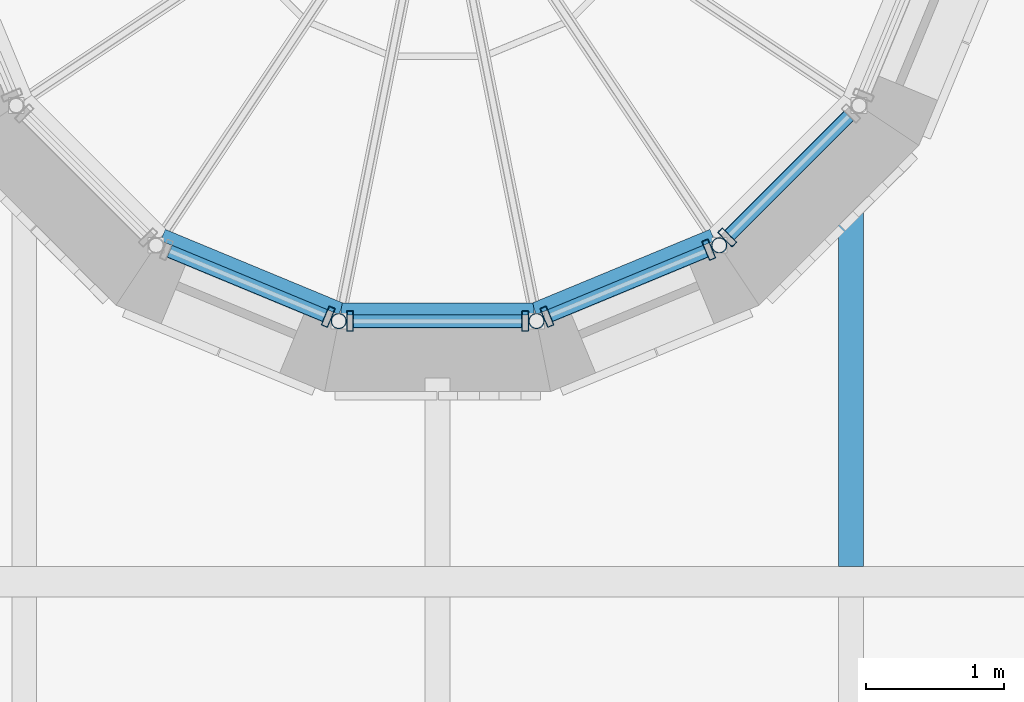
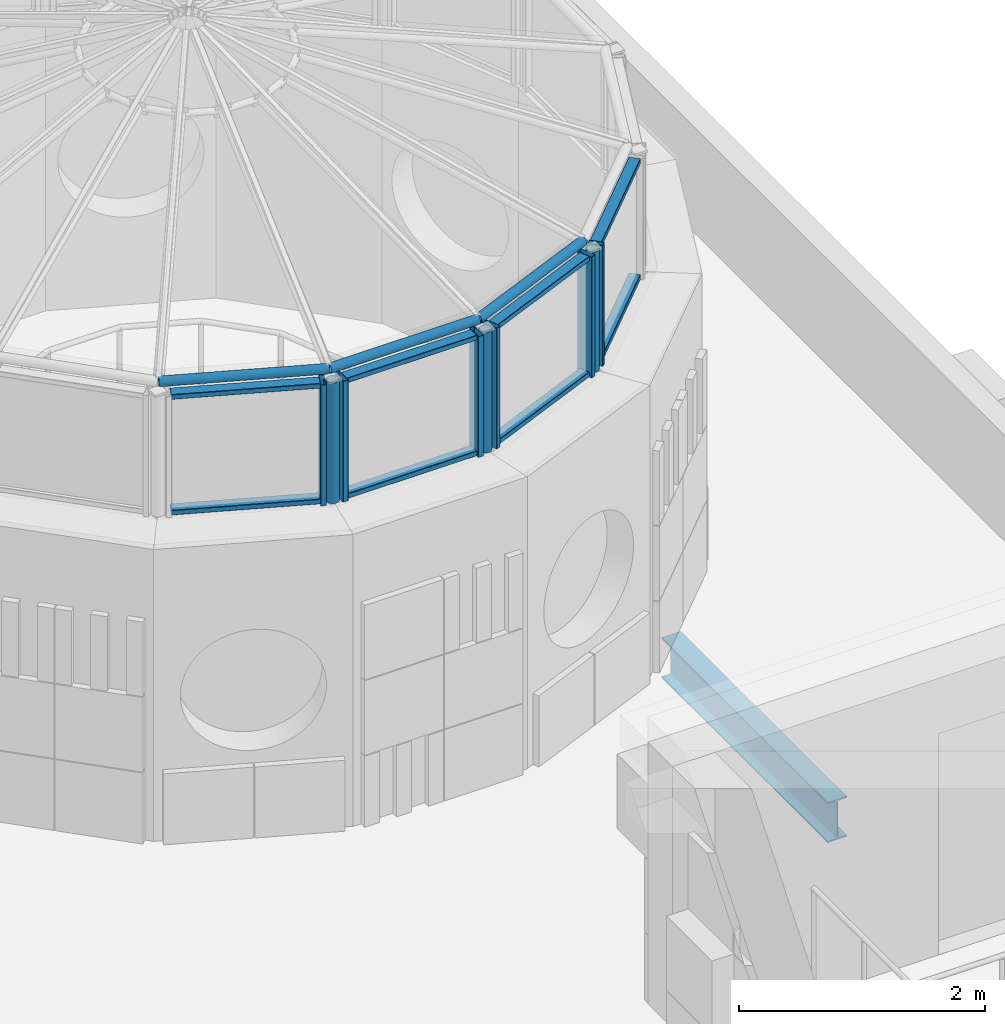
# One storey, part 14 of 98: 21 members, 4 elements without a shape of their own.
"""IFC4 building model written with IfcOpenShell, lengths in metres."""

from ifc_helpers import new_model, si_unit, direction, frame, origin, origin_2d, place, context, subcontext, project, spatial, hollow_rectangle, hollow_circle, i_section, extrude, material, material_profile, profile_set, type_object, element, aggregate, save


model = new_model("IFC4")

# Units and contexts
model_context = context("Model", 3, precision=1e-05, world=origin(), true_north=direction((0.0, 1.0)))
body_context = subcontext(model_context, "Body", "Model", "MODEL_VIEW")
ifc_project = project(units=[si_unit("LENGTHUNIT", "METRE"), si_unit("AREAUNIT", "SQUARE_METRE"), si_unit("VOLUMEUNIT", "CUBIC_METRE"), si_unit("PLANEANGLEUNIT", "RADIAN"), si_unit("MASSUNIT", "GRAM", prefix="KILO")], contexts=[model_context])

# Site, building, storey
site_placement = place(None, origin())
site = spatial("IfcSite", under=ifc_project, at=site_placement, CompositionType="ELEMENT")
building_placement = place(site_placement, origin())
building = spatial("IfcBuilding", under=site, at=building_placement, Name="Sun Court Science Centre", CompositionType="ELEMENT")
storey_placement = place(building_placement, frame((0.0, 0.0, 15.75)))
storey = spatial("IfcBuildingStorey", under=building, at=storey_placement, Name="L03", CompositionType="ELEMENT", Elevation=15.75)

# Curtain wall, member
ifc_material_1 = material(Name="Aluminium EN AW-6063 T6", Category="aluminium")
curtain_wall_type = type_object("IfcCurtainWallType", Name="Lantern clerestory curtain wall 1500", PredefinedType="NOTDEFINED", material=ifc_material_1)
curtain_wall_1_placement = place(storey_placement, origin())
curtain_wall_1 = element("IfcCurtainWall", 1, at=curtain_wall_1_placement, inside=storey, type_object=curtain_wall_type, Name="Curtain wall V2 C6 clerestory L03 11", PredefinedType="NOTDEFINED")
ifc_material_2 = material(Name="Aluminium EN AW-6063 T6", Category="aluminium")
ifc_material_profile_1 = material_profile(ifc_material_2, hollow_rectangle(XDim=0.050048828125, YDim=0.14990234375, WallThickness=0.00390625, InnerFilletRadius=0.00390625, OuterFilletRadius=0.006103515625, at=origin_2d()), Name="AL 50x150x4")
ifc_profile_set_1 = profile_set([ifc_material_profile_1], Name="Aluminium EN AW-6063 T6")
member_type_1 = type_object("IfcMemberType", Name="Curtain wall mullion AL 50x150", PredefinedType="MULLION", material=ifc_profile_set_1)
member_1_placement = place(storey_placement, frame((65.20654296875, 18.923828125, 3.050048828125), z_axis=(0.0, 0.0, 1.0), x_axis=(-0.923879532511, 0.382683432365, 0.0)))
member_1 = element("IfcMember", 2, at=member_1_placement, type_object=member_type_1, Name="CW4-91 mullion 1", PredefinedType="MULLION", context=body_context, shape_type="SweptSolid", body=[
    extrude(hollow_rectangle(XDim=0.050048828125, YDim=0.14990234375, WallThickness=0.00390625, InnerFilletRadius=0.00390625, OuterFilletRadius=0.006103515625, at=origin_2d()), origin(), (0.0, 0.0, 1.0), 1.199951171875),
])

# Curtain wall, members
curtain_wall_2_placement = place(storey_placement, origin())
curtain_wall_2 = element("IfcCurtainWall", 3, at=curtain_wall_2_placement, inside=storey, type_object=curtain_wall_type, Name="Curtain wall V2 C6 clerestory L03 12", PredefinedType="NOTDEFINED")
member_2_placement = place(storey_placement, frame((65.364501953125, 18.892333984375, 3.050048828125), z_axis=(0.0, 0.0, 1.0), x_axis=(-1.0, 0.0, 0.0)))
member_2 = element("IfcMember", 4, at=member_2_placement, type_object=member_type_1, Name="CW4-92 mullion 2", PredefinedType="MULLION", context=body_context, shape_type="SweptSolid", body=[
    extrude(hollow_rectangle(XDim=0.050048828125, YDim=0.14990234375, WallThickness=0.00390625, InnerFilletRadius=0.00390625, OuterFilletRadius=0.006103515625, at=origin_2d()), origin(), (0.0, 0.0, 1.0), 1.199951171875),
])
member_3_placement = place(storey_placement, frame((66.635498046875, 18.892333984375, 3.050048828125), z_axis=(0.0, 0.0, 1.0), x_axis=(-1.0, 0.0, 0.0)))
member_3 = element("IfcMember", 5, at=member_3_placement, type_object=member_type_1, Name="CW4-92 mullion 1", PredefinedType="MULLION", context=body_context, shape_type="SweptSolid", body=[
    extrude(hollow_rectangle(XDim=0.050048828125, YDim=0.14990234375, WallThickness=0.00390625, InnerFilletRadius=0.00390625, OuterFilletRadius=0.006103515625, at=origin_2d()), origin(), (0.0, 0.0, 1.0), 1.199951171875),
])

curtain_wall_3_placement = place(storey_placement, origin())
curtain_wall_3 = element("IfcCurtainWall", 6, at=curtain_wall_3_placement, inside=storey, type_object=curtain_wall_type, Name="Curtain wall V2 C6 clerestory L03 13", PredefinedType="NOTDEFINED")
member_4_placement = place(storey_placement, frame((66.79345703125, 18.923828125, 3.050048828125), z_axis=(0.0, 0.0, 1.0), x_axis=(-0.923879532511, -0.382683432365, 0.0)))
member_4 = element("IfcMember", 7, at=member_4_placement, type_object=member_type_1, Name="CW4-93 mullion 2", PredefinedType="MULLION", context=body_context, shape_type="SweptSolid", body=[
    extrude(hollow_rectangle(XDim=0.050048828125, YDim=0.14990234375, WallThickness=0.00390625, InnerFilletRadius=0.00390625, OuterFilletRadius=0.006103515625, at=origin_2d()), origin(), (0.0, 0.0, 1.0), 1.199951171875),
])
member_5_placement = place(storey_placement, frame((67.967529296875, 19.41015625, 3.050048828125), z_axis=(0.0, 0.0, 1.0), x_axis=(-0.923879532511, -0.382683432365, 0.0)))
member_5 = element("IfcMember", 8, at=member_5_placement, type_object=member_type_1, Name="CW4-93 mullion 1", PredefinedType="MULLION", context=body_context, shape_type="SweptSolid", body=[
    extrude(hollow_rectangle(XDim=0.050048828125, YDim=0.14990234375, WallThickness=0.00390625, InnerFilletRadius=0.00390625, OuterFilletRadius=0.006103515625, at=origin_2d()), origin(), (0.0, 0.0, 1.0), 1.199951171875),
])

# Curtain wall, member
curtain_wall_4_placement = place(storey_placement, origin())
curtain_wall_4 = element("IfcCurtainWall", 9, at=curtain_wall_4_placement, inside=storey, type_object=curtain_wall_type, Name="Curtain wall V2 C6 clerestory L03 14", PredefinedType="NOTDEFINED")
member_6_placement = place(storey_placement, frame((68.1015625, 19.499755859375, 3.050048828125), z_axis=(0.0, 0.0, 1.0), x_axis=(-0.707106781187, -0.707106781187, 0.0)))
member_6 = element("IfcMember", 10, at=member_6_placement, type_object=member_type_1, Name="CW4-94 mullion 2", PredefinedType="MULLION", context=body_context, shape_type="SweptSolid", body=[
    extrude(hollow_rectangle(XDim=0.050048828125, YDim=0.14990234375, WallThickness=0.00390625, InnerFilletRadius=0.00390625, OuterFilletRadius=0.006103515625, at=origin_2d()), origin(), (0.0, 0.0, 1.0), 1.199951171875),
])

# Member
ifc_material_3 = material(Name="Aluminium EN AW-6063 T6", Category="aluminium")
ifc_material_profile_2 = material_profile(ifc_material_3, hollow_rectangle(XDim=0.050048828125, YDim=0.10009765625, WallThickness=0.00390625, InnerFilletRadius=0.00390625, OuterFilletRadius=0.006103515625, at=origin_2d()), Name="AL 50x100x4")
ifc_profile_set_2 = profile_set([ifc_material_profile_2], Name="Aluminium EN AW-6063 T6")
member_type_2 = type_object("IfcMemberType", Name="Curtain wall transom AL 50x100", PredefinedType="USERDEFINED", material=ifc_profile_set_2)
member_7_placement = place(storey_placement, frame((65.183349609375, 18.933349609375, 3.074951171875), z_axis=(-0.923855963606, 0.38274032778, 0.0), x_axis=(0.0, 0.0, 1.0)))
member_7 = element("IfcMember", 11, at=member_7_placement, type_object=member_type_2, Name="CW4-91 transom 1.1", ObjectType="TRANSOM", PredefinedType="USERDEFINED", context=body_context, shape_type="SweptSolid", body=[
    extrude(hollow_rectangle(XDim=0.050048828125, YDim=0.10009765625, WallThickness=0.00390625, InnerFilletRadius=0.00390625, OuterFilletRadius=0.006103515625, at=origin_2d()), origin(), (0.0, 0.0, 1.0), 1.220947265625),
])

member_8_placement = place(storey_placement, frame((65.183349609375, 18.933349609375, 4.22509765625), z_axis=(-0.923855963606, 0.38274032778, 0.0), x_axis=(0.0, 0.0, 1.0)))
member_8 = element("IfcMember", 12, at=member_8_placement, type_object=member_type_2, Name="CW4-91 transom 1.2", ObjectType="TRANSOM", PredefinedType="USERDEFINED", context=body_context, shape_type="SweptSolid", body=[
    extrude(hollow_rectangle(XDim=0.050048828125, YDim=0.10009765625, WallThickness=0.00390625, InnerFilletRadius=0.00390625, OuterFilletRadius=0.006103515625, at=origin_2d()), origin(), (0.0, 0.0, 1.0), 1.220947265625),
])

aggregate(curtain_wall_1, [member_1, member_7, member_8])

member_9_placement = place(storey_placement, frame((66.6103515625, 18.892333984375, 3.074951171875), z_axis=(-1.0, 0.0, 0.0), x_axis=(0.0, 0.0, 1.0)))
member_9 = element("IfcMember", 13, at=member_9_placement, type_object=member_type_2, Name="CW4-92 transom 1.1", ObjectType="TRANSOM", PredefinedType="USERDEFINED", context=body_context, shape_type="SweptSolid", body=[
    extrude(hollow_rectangle(XDim=0.050048828125, YDim=0.10009765625, WallThickness=0.00390625, InnerFilletRadius=0.00390625, OuterFilletRadius=0.006103515625, at=origin_2d()), origin(), (0.0, 0.0, 1.0), 1.220703125),
])

member_10_placement = place(storey_placement, frame((66.6103515625, 18.892333984375, 4.22509765625), z_axis=(-1.0, 0.0, 0.0), x_axis=(0.0, 0.0, 1.0)))
member_10 = element("IfcMember", 14, at=member_10_placement, type_object=member_type_2, Name="CW4-92 transom 1.2", ObjectType="TRANSOM", PredefinedType="USERDEFINED", context=body_context, shape_type="SweptSolid", body=[
    extrude(hollow_rectangle(XDim=0.050048828125, YDim=0.10009765625, WallThickness=0.00390625, InnerFilletRadius=0.00390625, OuterFilletRadius=0.006103515625, at=origin_2d()), origin(), (0.0, 0.0, 1.0), 1.220703125),
])

aggregate(curtain_wall_2, [member_2, member_3, member_9, member_10])

member_11_placement = place(storey_placement, frame((67.944580078125, 19.400634765625, 3.074951171875), z_axis=(-0.923855963606, -0.38274032778, 0.0), x_axis=(0.0, 0.0, 1.0)))
member_11 = element("IfcMember", 15, at=member_11_placement, type_object=member_type_2, Name="CW4-93 transom 1.1", ObjectType="TRANSOM", PredefinedType="USERDEFINED", context=body_context, shape_type="SweptSolid", body=[
    extrude(hollow_rectangle(XDim=0.050048828125, YDim=0.10009765625, WallThickness=0.00390625, InnerFilletRadius=0.00390625, OuterFilletRadius=0.006103515625, at=origin_2d()), origin(), (0.0, 0.0, 1.0), 1.220947265625),
])

member_12_placement = place(storey_placement, frame((67.944580078125, 19.400634765625, 4.22509765625), z_axis=(-0.923855963606, -0.38274032778, 0.0), x_axis=(0.0, 0.0, 1.0)))
member_12 = element("IfcMember", 16, at=member_12_placement, type_object=member_type_2, Name="CW4-93 transom 1.2", ObjectType="TRANSOM", PredefinedType="USERDEFINED", context=body_context, shape_type="SweptSolid", body=[
    extrude(hollow_rectangle(XDim=0.050048828125, YDim=0.10009765625, WallThickness=0.00390625, InnerFilletRadius=0.00390625, OuterFilletRadius=0.006103515625, at=origin_2d()), origin(), (0.0, 0.0, 1.0), 1.220947265625),
])

aggregate(curtain_wall_3, [member_4, member_5, member_11, member_12])

member_13_placement = place(storey_placement, frame((68.982666015625, 20.380615234375, 3.074951171875), z_axis=(-0.707106781187, -0.707106781187, 0.0), x_axis=(0.0, 0.0, 1.0)))
member_13 = element("IfcMember", 17, at=member_13_placement, type_object=member_type_2, Name="CW4-94 transom 1.1", ObjectType="TRANSOM", PredefinedType="USERDEFINED", context=body_context, shape_type="SweptSolid", body=[
    extrude(hollow_rectangle(XDim=0.050048828125, YDim=0.10009765625, WallThickness=0.00390625, InnerFilletRadius=0.00390625, OuterFilletRadius=0.006103515625, at=origin_2d()), origin(), (0.0, 0.0, 1.0), 1.220947265625),
])

member_14_placement = place(storey_placement, frame((68.982666015625, 20.380615234375, 4.22509765625), z_axis=(-0.707106781187, -0.707106781187, 0.0), x_axis=(0.0, 0.0, 1.0)))
member_14 = element("IfcMember", 18, at=member_14_placement, type_object=member_type_2, Name="CW4-94 transom 1.2", ObjectType="TRANSOM", PredefinedType="USERDEFINED", context=body_context, shape_type="SweptSolid", body=[
    extrude(hollow_rectangle(XDim=0.050048828125, YDim=0.10009765625, WallThickness=0.00390625, InnerFilletRadius=0.00390625, OuterFilletRadius=0.006103515625, at=origin_2d()), origin(), (0.0, 0.0, 1.0), 1.220947265625),
])

aggregate(curtain_wall_4, [member_6, member_13, member_14])

# Members
ifc_material_4 = material(Name="Steel S355", Category="steel")
ifc_material_profile_3 = material_profile(ifc_material_4, hollow_circle(Radius=0.04443359375, WallThickness=0.0048828125, at=origin_2d()), Name="CHS 88.9x5")
ifc_profile_set_3 = profile_set([ifc_material_profile_3], Name="Steel S355")
member_type_3 = type_object("IfcMemberType", Name="Lantern base ring CHS 88.9x5", PredefinedType="CHORD", material=ifc_profile_set_3)
member_15_placement = place(storey_placement, frame((64.006591796875, 19.5166015625, 4.29443359375), z_axis=(0.92384891669, -0.382757337134, 0.0), x_axis=(0.382757337134, 0.92384891669, 0.0)))
element("IfcMember", 19, at=member_15_placement, inside=storey, type_object=member_type_3, Name="Cone 6 lantern base ring 11", PredefinedType="CHORD", context=body_context, shape_type="SweptSolid", body=[
    extrude(hollow_circle(Radius=0.04443359375, WallThickness=0.0048828125, at=origin_2d()), origin(), (0.0, 0.0, 1.0), 1.400146484375),
])
member_16_placement = place(storey_placement, frame((65.300048828125, 18.980712890625, 4.29443359375), z_axis=(1.0, 0.0, 0.0), x_axis=(0.0, 1.0, 0.0)))
element("IfcMember", 20, at=member_16_placement, inside=storey, type_object=member_type_3, Name="Cone 6 lantern base ring 12", PredefinedType="CHORD", context=body_context, shape_type="SweptSolid", body=[
    extrude(hollow_circle(Radius=0.04443359375, WallThickness=0.0048828125, at=origin_2d()), origin(), (0.0, 0.0, 1.0), 1.39990234375),
])
member_17_placement = place(storey_placement, frame((66.699951171875, 18.980712890625, 4.29443359375), z_axis=(0.92384891669, 0.382757337134, 0.0), x_axis=(-0.382757337134, 0.92384891669, 0.0)))
element("IfcMember", 21, at=member_17_placement, inside=storey, type_object=member_type_3, Name="Cone 6 lantern base ring 13", PredefinedType="CHORD", context=body_context, shape_type="SweptSolid", body=[
    extrude(hollow_circle(Radius=0.04443359375, WallThickness=0.0048828125, at=origin_2d()), origin(), (0.0, 0.0, 1.0), 1.400146484375),
])
ifc_material_5 = material(Name="Steel S355", Category="steel")
ifc_material_profile_4 = material_profile(ifc_material_5, hollow_circle(Radius=0.05712890625, WallThickness=0.00634765625, at=origin_2d()), Name="CHS 114.3x6.3")
ifc_profile_set_4 = profile_set([ifc_material_profile_4], Name="Steel S355")
member_type_4 = type_object("IfcMemberType", Name="Lantern post CHS 114.3x6.3", PredefinedType="POST", material=ifc_profile_set_4)
for number, where, z_axis, x_axis, name in (
    (22, (65.282470703125, 18.892333984375, 3.050048828125), (0.0, 0.0, 1.0), (1.0, 0.0, 0.0), "Cone 6 clerestory post 12"),
    (23, (66.717529296875, 18.892333984375, 3.050048828125), (0.0, 0.0, 1.0), (1.0, 0.0, 0.0), "Cone 6 clerestory post 13"),
    (24, (68.04345703125, 19.441650390625, 3.050048828125), (0.0, 0.0, 1.0), (1.0, 0.0, 0.0), "Cone 6 clerestory post 14"),
):
    element("IfcMember", number, at=place(storey_placement, frame(where, z_axis=z_axis, x_axis=x_axis)), inside=storey, type_object=member_type_4, Name=name, PredefinedType="POST", context=body_context, shape_type="SweptSolid", body=[
        extrude(hollow_circle(Radius=0.05712890625, WallThickness=0.00634765625, at=origin_2d()), origin(), (0.0, 0.0, 1.0), 1.199951171875),
    ])
ifc_material_6 = material(Name="Steel S275", Category="steel")
ifc_material_profile_5 = material_profile(ifc_material_6, i_section(OverallWidth=0.179931640625, OverallDepth=0.39990234375, WebThickness=0.008544921875, FlangeThickness=0.013427734375, FilletRadius=0.02099609375, at=origin_2d()), Name="IPE 400")
ifc_profile_set_5 = profile_set([ifc_material_profile_5], Name="Steel S275")
member_type_5 = type_object("IfcMemberType", Name="Roof purlin IPE 400", PredefinedType="PURLIN", material=ifc_profile_set_5)
member_18_placement = place(storey_placement, frame((69.0, 17.110107421875, -0.35009765625), z_axis=(0.0, 1.0, 0.0), x_axis=(-1.0, 0.0, 0.0)))
element("IfcMember", 25, at=member_18_placement, inside=storey, type_object=member_type_5, Name="Roof purlin", PredefinedType="PURLIN", context=body_context, shape_type="SweptSolid", body=[
    extrude(i_section(OverallWidth=0.179931640625, OverallDepth=0.39990234375, WebThickness=0.008544921875, FlangeThickness=0.013427734375, FilletRadius=0.02099609375, at=origin_2d()), origin(), (0.0, 0.0, 1.0), 2.705810546875),
])

save(model, "model.ifc")
